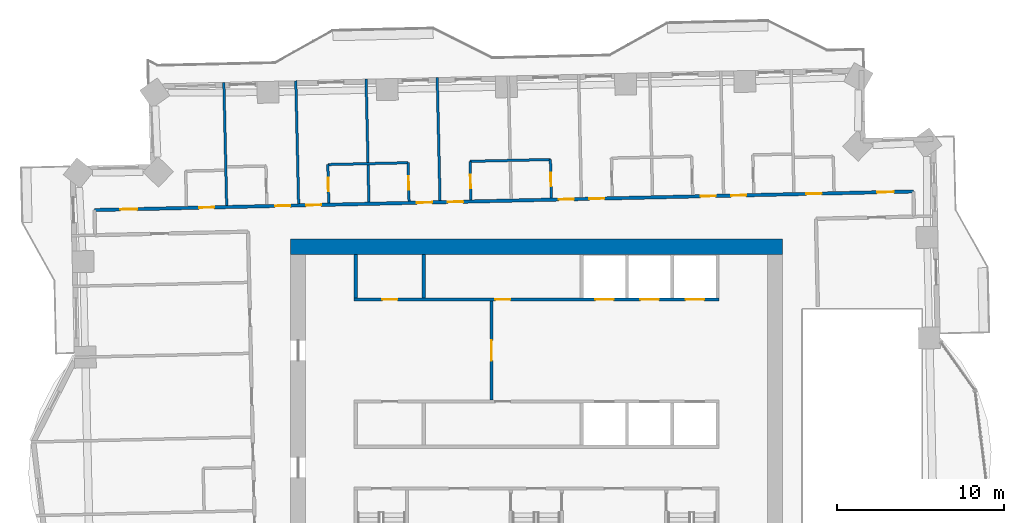
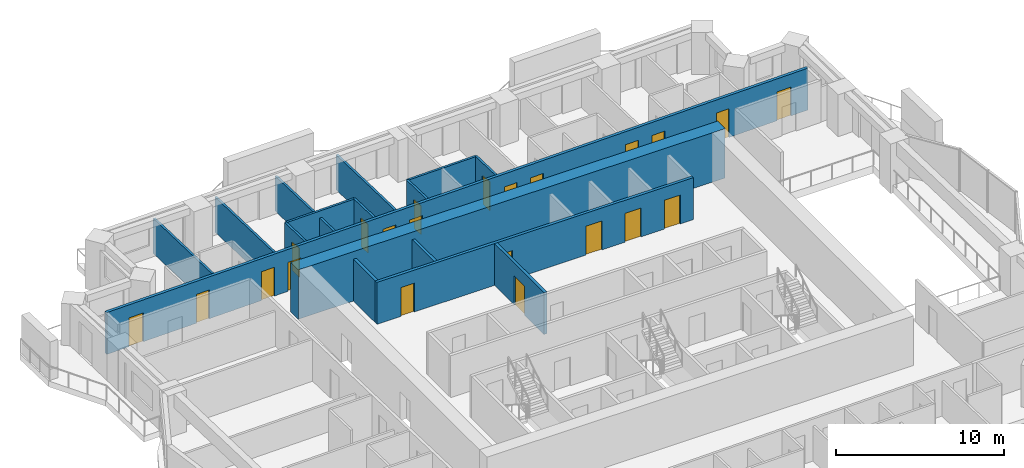
# One storey, part 10 of 16: 22 doors, 16 walls, 22 openings.
"""IFC4 building model written with IfcOpenShell, lengths in metres."""

from ifc_helpers import new_model, si_unit, direction, frame, frame_2d, origin, place, context, subcontext, project, spatial, rectangle, extrude, material, layer, layer_set, type_object, element, fill, save


model = new_model("IFC4")

# Units and contexts
model_context = context("Model", 3, precision=1e-05, world=origin(), true_north=direction((0.0, 1.0)))
body_context = subcontext(model_context, "Body", "Model", "MODEL_VIEW")
ifc_project = project(units=[si_unit("LENGTHUNIT", "METRE"), si_unit("AREAUNIT", "SQUARE_METRE"), si_unit("VOLUMEUNIT", "CUBIC_METRE"), si_unit("PLANEANGLEUNIT", "RADIAN"), si_unit("MASSUNIT", "GRAM", prefix="KILO")], contexts=[model_context])

# Site, building, storey
site_placement = place(None, origin())
site = spatial("IfcSite", under=ifc_project, at=site_placement, CompositionType="ELEMENT")
building_placement = place(site_placement, origin())
building = spatial("IfcBuilding", under=site, at=building_placement, Name="Mangrove Gate Tower", CompositionType="ELEMENT")
storey_placement = place(building_placement, frame((0.0, 0.0, 144.5)))
storey = spatial("IfcBuildingStorey", under=building, at=storey_placement, Name="L36", CompositionType="ELEMENT", Elevation=144.5)

# Wall, opening, door
ifc_material_1 = material(Name="Concrete C32/40", Category="concrete")
ifc_layer_1 = layer(ifc_material_1, 0.199951171875)
ifc_layer_set_1 = layer_set([ifc_layer_1], Name="Core lobby wall 200 C32/40")
wall_type_1 = type_object("IfcWallType", Name="Core lobby wall 200 C32/40", PredefinedType="STANDARD", material=ifc_layer_set_1)
wall_1_placement = place(storey_placement, frame((-2.699951171875, 2.10009765625, 0.0), z_axis=(0.0, 0.0, 1.0), x_axis=(0.0, 1.0, 0.0)))
wall_1 = element("IfcWall", 1, at=wall_1_placement, inside=storey, type_object=wall_type_1, Name="WALL-L36-CORE-31", PredefinedType="STANDARD", context=body_context, shape_type="SweptSolid", body=[
    extrude(rectangle(XDim=5.89990234375, YDim=0.199951171875, at=frame_2d((2.949951171875, 0.0))), origin(), (0.0, 0.0, 1.0), 3.050048828125),
])
opening_1_placement = place(wall_1_placement, frame((2.35009765625, 0.0, 0.0)))
opening_1 = element("IfcOpeningElement", 2, at=opening_1_placement, cuts=wall_1, Name="Opening FL12", PredefinedType="OPENING", context=body_context, shape_type="SweptSolid", body=[
    extrude(rectangle(XDim=1.199951171875, YDim=2.10009765625, at=frame_2d((0.60009765625, 1.050048828125))), frame((0.0, 0.10986328125, 0.0), z_axis=(0.0, -1.0, 0.0), x_axis=(1.0, 0.0, 0.0)), (0.0, 0.0, 1.0), 0.219970703125),
])
ifc_material_2 = material(Name="Fire-rated steel door set", Category="steel")
door_type_1 = type_object("IfcDoorType", Name="Lobby door FD60 1200x2100", OperationType="SINGLE_SWING_LEFT", PredefinedType="DOOR", material=ifc_material_2)
door_1_placement = place(opening_1_placement, origin())
door_1 = element("IfcDoor", 3, at=door_1_placement, inside=storey, type_object=door_type_1, Name="Lobby door lift lobby partition", OperationType="SINGLE_SWING_LEFT", OverallHeight=2.10009765625, OverallWidth=1.199951171875, PredefinedType="DOOR", context=body_context, shape_type="SweptSolid", body=[
    extrude(rectangle(XDim=1.199951171875, YDim=2.10009765625, at=frame_2d((0.60009765625, 1.050048828125))), frame((0.0, 0.02490234375, 0.0), z_axis=(0.0, -1.0, 0.0), x_axis=(1.0, 0.0, 0.0)), (0.0, 0.0, 1.0), 0.050048828125),
])
fill(opening_1, door_1)

# Walls
ifc_material_3 = material(Name="Concrete C32/40", Category="concrete")
ifc_layer_2 = layer(ifc_material_3, 0.199951171875)
ifc_layer_set_2 = layer_set([ifc_layer_2], Name="Core room wall 200 C32/40")
wall_type_2 = type_object("IfcWallType", Name="Core room wall 200 C32/40", PredefinedType="STANDARD", material=ifc_layer_set_2)
for number, where, z_axis, x_axis, name in (
    (4, (-10.800048828125, 8.199951171875, 0.0), (0.0, 0.0, 1.0), (0.0, 1.0, 0.0), "WALL-L36-CORE-25"),
    (5, (-6.75, 8.199951171875, 0.0), (0.0, 0.0, 1.0), (0.0, 1.0, 0.0), "WALL-L36-CORE-26"),
):
    element("IfcWall", number, at=place(storey_placement, frame(where, z_axis=z_axis, x_axis=x_axis)), inside=storey, type_object=wall_type_2, Name=name, PredefinedType="STANDARD", context=body_context, shape_type="SweptSolid", body=[
        extrude(rectangle(XDim=2.60009765625, YDim=0.199951171875, at=frame_2d((1.300048828125, 0.0))), origin(), (0.0, 0.0, 1.0), 3.050048828125),
    ])

# Wall, openings, doors
ifc_material_4 = material(Name="Concrete C70/85", Category="concrete")
ifc_layer_3 = layer(ifc_material_4, 0.199951171875)
ifc_layer_set_3 = layer_set([ifc_layer_3], Name="Core shaft wall 200 C70/85")
wall_type_3 = type_object("IfcWallType", Name="Core shaft wall 200 C70/85", PredefinedType="SHEAR", material=ifc_layer_set_3)
wall_2_placement = place(storey_placement, frame((-10.89990234375, 8.10009765625, 0.0), z_axis=(0.0, 0.0, 1.0), x_axis=(1.0, 0.0, 0.0)))
wall_2 = element("IfcWall", 6, at=wall_2_placement, inside=storey, type_object=wall_type_3, Name="WALL-L36-CORE-8", PredefinedType="SHEAR", context=body_context, shape_type="SweptSolid", body=[
    extrude(rectangle(XDim=21.7998046875, YDim=0.199951171875, at=frame_2d((10.89990234375, 0.0))), origin(), (0.0, 0.0, 1.0), 3.050048828125),
])
opening_2_placement = place(wall_2_placement, frame((14.39990234375, 0.0, 0.0)))
opening_2 = element("IfcOpeningElement", 7, at=opening_2_placement, cuts=wall_2, Name="Opening LD", PredefinedType="OPENING", context=body_context, shape_type="SweptSolid", body=[
    extrude(rectangle(XDim=1.10009765625, YDim=2.10009765625, at=frame_2d((0.550048828125, 1.050048828125))), frame((0.0, 0.10986328125, 0.0), z_axis=(0.0, -1.0, 0.0), x_axis=(1.0, 0.0, 0.0)), (0.0, 0.0, 1.0), 0.219970703125),
])
opening_3_placement = place(wall_2_placement, frame((17.10009765625, 0.0, 0.0)))
opening_3 = element("IfcOpeningElement", 8, at=opening_3_placement, cuts=wall_2, Name="Opening LD", PredefinedType="OPENING", context=body_context, shape_type="SweptSolid", body=[
    extrude(rectangle(XDim=1.10009765625, YDim=2.10009765625, at=frame_2d((0.550048828125, 1.050048828125))), frame((0.0, 0.10986328125, 0.0), z_axis=(0.0, -1.0, 0.0), x_axis=(1.0, 0.0, 0.0)), (0.0, 0.0, 1.0), 0.219970703125),
])
opening_4_placement = place(wall_2_placement, frame((19.800048828125, 0.0, 0.0)))
opening_4 = element("IfcOpeningElement", 9, at=opening_4_placement, cuts=wall_2, Name="Opening LD", PredefinedType="OPENING", context=body_context, shape_type="SweptSolid", body=[
    extrude(rectangle(XDim=1.10009765625, YDim=2.10009765625, at=frame_2d((0.550048828125, 1.050048828125))), frame((0.0, 0.10986328125, 0.0), z_axis=(0.0, -1.0, 0.0), x_axis=(1.0, 0.0, 0.0)), (0.0, 0.0, 1.0), 0.219970703125),
])
opening_5_placement = place(wall_2_placement, frame((1.675048828125, 0.0, 0.0)))
opening_5 = element("IfcOpeningElement", 10, at=opening_5_placement, cuts=wall_2, Name="Opening KD", PredefinedType="OPENING", context=body_context, shape_type="SweptSolid", body=[
    extrude(rectangle(XDim=0.89990234375, YDim=2.10009765625, at=frame_2d((0.449951171875, 1.050048828125))), frame((0.0, 0.10986328125, 0.0), z_axis=(0.0, -1.0, 0.0), x_axis=(1.0, 0.0, 0.0)), (0.0, 0.0, 1.0), 0.219970703125),
])
opening_6_placement = place(wall_2_placement, frame((8.425048828125, 0.0, 0.0)))
opening_6 = element("IfcOpeningElement", 11, at=opening_6_placement, cuts=wall_2, Name="Opening RD", PredefinedType="OPENING", context=body_context, shape_type="SweptSolid", body=[
    extrude(rectangle(XDim=0.89990234375, YDim=2.10009765625, at=frame_2d((0.449951171875, 1.050048828125))), frame((0.0, 0.10986328125, 0.0), z_axis=(0.0, -1.0, 0.0), x_axis=(1.0, 0.0, 0.0)), (0.0, 0.0, 1.0), 0.219970703125),
])
ifc_material_5 = material(Name="Fire-rated steel door set", Category="steel")
door_type_2 = type_object("IfcDoorType", Name="Core room door FD30S 900x2100", OperationType="SINGLE_SWING_RIGHT", PredefinedType="DOOR", material=ifc_material_5)
door_2_placement = place(opening_5_placement, origin())
door_2 = element("IfcDoor", 12, at=door_2_placement, inside=storey, type_object=door_type_2, Name="Core room door Linen store", OperationType="SINGLE_SWING_RIGHT", OverallHeight=2.10009765625, OverallWidth=0.89990234375, PredefinedType="DOOR", context=body_context, shape_type="SweptSolid", body=[
    extrude(rectangle(XDim=0.89990234375, YDim=2.10009765625, at=frame_2d((0.449951171875, 1.050048828125))), frame((0.0, 0.02490234375, 0.0), z_axis=(0.0, -1.0, 0.0), x_axis=(1.0, 0.0, 0.0)), (0.0, 0.0, 1.0), 0.050048828125),
])
fill(opening_5, door_2)
ifc_material_6 = material(Name="Stainless steel 316", Category="steel")
door_type_3 = type_object("IfcDoorType", Name="Lift landing door 1100x2100", OperationType="SLIDING_TO_LEFT", PredefinedType="DOOR", material=ifc_material_6)
door_3_placement = place(opening_2_placement, origin())
door_3 = element("IfcDoor", 13, at=door_3_placement, inside=storey, type_object=door_type_3, Name="Landing door LD M04", OperationType="SLIDING_TO_LEFT", OverallHeight=2.10009765625, OverallWidth=1.10009765625, PredefinedType="DOOR", context=body_context, shape_type="SweptSolid", body=[
    extrude(rectangle(XDim=1.10009765625, YDim=2.10009765625, at=frame_2d((0.550048828125, 1.050048828125))), frame((0.0, 0.02490234375, 0.0), z_axis=(0.0, -1.0, 0.0), x_axis=(1.0, 0.0, 0.0)), (0.0, 0.0, 1.0), 0.050048828125),
])
fill(opening_2, door_3)
door_4_placement = place(opening_3_placement, origin())
door_4 = element("IfcDoor", 14, at=door_4_placement, inside=storey, type_object=door_type_3, Name="Landing door LD M05", OperationType="SLIDING_TO_LEFT", OverallHeight=2.10009765625, OverallWidth=1.10009765625, PredefinedType="DOOR", context=body_context, shape_type="SweptSolid", body=[
    extrude(rectangle(XDim=1.10009765625, YDim=2.10009765625, at=frame_2d((0.550048828125, 1.050048828125))), frame((0.0, 0.02490234375, 0.0), z_axis=(0.0, -1.0, 0.0), x_axis=(1.0, 0.0, 0.0)), (0.0, 0.0, 1.0), 0.050048828125),
])
fill(opening_3, door_4)
door_5_placement = place(opening_4_placement, origin())
door_5 = element("IfcDoor", 15, at=door_5_placement, inside=storey, type_object=door_type_3, Name="Landing door LD M06", OperationType="SLIDING_TO_LEFT", OverallHeight=2.10009765625, OverallWidth=1.10009765625, PredefinedType="DOOR", context=body_context, shape_type="SweptSolid", body=[
    extrude(rectangle(XDim=1.10009765625, YDim=2.10009765625, at=frame_2d((0.550048828125, 1.050048828125))), frame((0.0, 0.02490234375, 0.0), z_axis=(0.0, -1.0, 0.0), x_axis=(1.0, 0.0, 0.0)), (0.0, 0.0, 1.0), 0.050048828125),
])
fill(opening_4, door_5)
ifc_material_7 = material(Name="Fire-rated steel door set", Category="steel")
door_type_4 = type_object("IfcDoorType", Name="Riser door FD30S 900x2100", OperationType="SINGLE_SWING_LEFT", PredefinedType="DOOR", material=ifc_material_7)
door_6_placement = place(opening_6_placement, origin())
door_6 = element("IfcDoor", 16, at=door_6_placement, inside=storey, type_object=door_type_4, Name="Riser door Switch room", OperationType="SINGLE_SWING_LEFT", OverallHeight=2.10009765625, OverallWidth=0.89990234375, PredefinedType="DOOR", context=body_context, shape_type="SweptSolid", body=[
    extrude(rectangle(XDim=0.89990234375, YDim=2.10009765625, at=frame_2d((0.449951171875, 1.050048828125))), frame((0.0, 0.02490234375, 0.0), z_axis=(0.0, -1.0, 0.0), x_axis=(1.0, 0.0, 0.0)), (0.0, 0.0, 1.0), 0.050048828125),
])
fill(opening_6, door_6)

# Wall
ifc_material_8 = material(Name="Concrete C70/85", Category="concrete")
ifc_layer_4 = layer(ifc_material_8, 0.89990234375)
ifc_layer_set_4 = layer_set([ifc_layer_4], Name="Core wall 900 C70/85")
wall_type_4 = type_object("IfcWallType", Name="Core wall 900 C70/85", PredefinedType="SHEAR", material=ifc_layer_set_4)
wall_3_placement = place(storey_placement, frame((-14.699951171875, 11.25, 0.0), z_axis=(0.0, 0.0, 1.0), x_axis=(1.0, 0.0, 0.0)))
element("IfcWall", 17, at=wall_3_placement, inside=storey, type_object=wall_type_4, Name="WALL-L36-CORE-2", PredefinedType="SHEAR", context=body_context, shape_type="SweptSolid", body=[
    extrude(rectangle(XDim=29.39990234375, YDim=0.89990234375, at=frame_2d((14.699951171875, 0.0))), origin(), (0.0, 0.0, 1.0), 3.60009765625),
])

# Wall, openings, doors
ifc_material_9 = material(Name="Gypsum board on steel stud, EI 60", Category="steel")
ifc_layer_5 = layer(ifc_material_9, 0.199951171875)
ifc_layer_set_5 = layer_set([ifc_layer_5], Name="Corridor wall EI 60")
wall_type_5 = type_object("IfcWallType", Name="Corridor wall EI 60", PredefinedType="PARTITIONING", material=ifc_layer_set_5)
wall_4_placement = place(storey_placement, frame((-26.4208984375, 13.44091796875, 0.0), z_axis=(0.0, 0.0, 1.0), x_axis=(0.999742754064, 0.022680954485, 0.0)))
wall_4 = element("IfcWall", 18, at=wall_4_placement, inside=storey, type_object=wall_type_5, Name="WALL-L36-055", PredefinedType="PARTITIONING", context=body_context, shape_type="SweptSolid", body=[
    extrude(rectangle(XDim=48.944580078125, YDim=0.199951171875, at=frame_2d((24.47216796875, 0.0))), origin(), (0.0, 0.0, 1.0), 3.050048828125),
])
opening_7_placement = place(wall_4_placement, frame((46.77197265625, 0.0, 0.0)))
opening_7 = element("IfcOpeningElement", 19, at=opening_7_placement, cuts=wall_4, Name="Opening AD", PredefinedType="OPENING", context=body_context, shape_type="SweptSolid", body=[
    extrude(rectangle(XDim=1.0, YDim=2.10009765625, at=frame_2d((0.5, 1.050048828125))), frame((0.0, 0.10986328125, 0.0), z_axis=(0.0, -1.0, 0.0), x_axis=(1.0, 0.0, 0.0)), (0.0, 0.0, 1.0), 0.219970703125),
])
opening_8_placement = place(wall_4_placement, frame((42.550048828125, 0.0, 0.0)))
opening_8 = element("IfcOpeningElement", 20, at=opening_8_placement, cuts=wall_4, Name="Opening SD", PredefinedType="OPENING", context=body_context, shape_type="SweptSolid", body=[
    extrude(rectangle(XDim=0.89990234375, YDim=2.10009765625, at=frame_2d((0.449951171875, 1.050048828125))), frame((0.0, 0.10986328125, 0.0), z_axis=(0.0, -1.0, 0.0), x_axis=(1.0, 0.0, 0.0)), (0.0, 0.0, 1.0), 0.219970703125),
])
opening_9_placement = place(wall_4_placement, frame((38.050048828125, 0.0, 0.0)))
opening_9 = element("IfcOpeningElement", 21, at=opening_9_placement, cuts=wall_4, Name="Opening BD", PredefinedType="OPENING", context=body_context, shape_type="SweptSolid", body=[
    extrude(rectangle(XDim=0.89990234375, YDim=2.10009765625, at=frame_2d((0.449951171875, 1.050048828125))), frame((0.0, 0.10986328125, 0.0), z_axis=(0.0, -1.0, 0.0), x_axis=(1.0, 0.0, 0.0)), (0.0, 0.0, 1.0), 0.219970703125),
])
opening_10_placement = place(wall_4_placement, frame((36.22509765625, 0.0, 0.0)))
opening_10 = element("IfcOpeningElement", 22, at=opening_10_placement, cuts=wall_4, Name="Opening BD", PredefinedType="OPENING", context=body_context, shape_type="SweptSolid", body=[
    extrude(rectangle(XDim=0.89990234375, YDim=2.10009765625, at=frame_2d((0.449951171875, 1.050048828125))), frame((0.0, 0.10986328125, 0.0), z_axis=(0.0, -1.0, 0.0), x_axis=(1.0, 0.0, 0.0)), (0.0, 0.0, 1.0), 0.219970703125),
])
opening_11_placement = place(wall_4_placement, frame((29.574951171875, 0.0, 0.0)))
opening_11 = element("IfcOpeningElement", 23, at=opening_11_placement, cuts=wall_4, Name="Opening BD", PredefinedType="OPENING", context=body_context, shape_type="SweptSolid", body=[
    extrude(rectangle(XDim=0.89990234375, YDim=2.10009765625, at=frame_2d((0.449951171875, 1.050048828125))), frame((0.0, 0.10986328125, 0.0), z_axis=(0.0, -1.0, 0.0), x_axis=(1.0, 0.0, 0.0)), (0.0, 0.0, 1.0), 0.219970703125),
])
opening_12_placement = place(wall_4_placement, frame((27.75, 0.0, 0.0)))
opening_12 = element("IfcOpeningElement", 24, at=opening_12_placement, cuts=wall_4, Name="Opening BD", PredefinedType="OPENING", context=body_context, shape_type="SweptSolid", body=[
    extrude(rectangle(XDim=0.89990234375, YDim=2.10009765625, at=frame_2d((0.449951171875, 1.050048828125))), frame((0.0, 0.10986328125, 0.0), z_axis=(0.0, -1.0, 0.0), x_axis=(1.0, 0.0, 0.0)), (0.0, 0.0, 1.0), 0.219970703125),
])
opening_13_placement = place(wall_4_placement, frame((21.125, 0.0, 0.0)))
opening_13 = element("IfcOpeningElement", 25, at=opening_13_placement, cuts=wall_4, Name="Opening BD", PredefinedType="OPENING", context=body_context, shape_type="SweptSolid", body=[
    extrude(rectangle(XDim=0.89990234375, YDim=2.10009765625, at=frame_2d((0.449951171875, 1.050048828125))), frame((0.0, 0.10986328125, 0.0), z_axis=(0.0, -1.0, 0.0), x_axis=(1.0, 0.0, 0.0)), (0.0, 0.0, 1.0), 0.219970703125),
])
opening_14_placement = place(wall_4_placement, frame((19.27490234375, 0.0, 0.0)))
opening_14 = element("IfcOpeningElement", 26, at=opening_14_placement, cuts=wall_4, Name="Opening BD", PredefinedType="OPENING", context=body_context, shape_type="SweptSolid", body=[
    extrude(rectangle(XDim=0.89990234375, YDim=2.10009765625, at=frame_2d((0.449951171875, 1.050048828125))), frame((0.0, 0.10986328125, 0.0), z_axis=(0.0, -1.0, 0.0), x_axis=(1.0, 0.0, 0.0)), (0.0, 0.0, 1.0), 0.219970703125),
])
opening_15_placement = place(wall_4_placement, frame((12.64990234375, 0.0, 0.0)))
opening_15 = element("IfcOpeningElement", 27, at=opening_15_placement, cuts=wall_4, Name="Opening BD", PredefinedType="OPENING", context=body_context, shape_type="SweptSolid", body=[
    extrude(rectangle(XDim=0.89990234375, YDim=2.10009765625, at=frame_2d((0.449951171875, 1.050048828125))), frame((0.0, 0.10986328125, 0.0), z_axis=(0.0, -1.0, 0.0), x_axis=(1.0, 0.0, 0.0)), (0.0, 0.0, 1.0), 0.219970703125),
])
opening_16_placement = place(wall_4_placement, frame((10.800048828125, 0.0, 0.0)))
opening_16 = element("IfcOpeningElement", 28, at=opening_16_placement, cuts=wall_4, Name="Opening BD", PredefinedType="OPENING", context=body_context, shape_type="SweptSolid", body=[
    extrude(rectangle(XDim=0.89990234375, YDim=2.10009765625, at=frame_2d((0.449951171875, 1.050048828125))), frame((0.0, 0.10986328125, 0.0), z_axis=(0.0, -1.0, 0.0), x_axis=(1.0, 0.0, 0.0)), (0.0, 0.0, 1.0), 0.219970703125),
])
opening_17_placement = place(wall_4_placement, frame((1.550048828125, 0.0, 0.0)))
opening_17 = element("IfcOpeningElement", 29, at=opening_17_placement, cuts=wall_4, Name="Opening AD", PredefinedType="OPENING", context=body_context, shape_type="SweptSolid", body=[
    extrude(rectangle(XDim=1.0, YDim=2.10009765625, at=frame_2d((0.5, 1.050048828125))), frame((0.0, 0.10986328125, 0.0), z_axis=(0.0, -1.0, 0.0), x_axis=(1.0, 0.0, 0.0)), (0.0, 0.0, 1.0), 0.219970703125),
])
opening_18_placement = place(wall_4_placement, frame((6.25, 0.0, 0.0)))
opening_18 = element("IfcOpeningElement", 30, at=opening_18_placement, cuts=wall_4, Name="Opening SD", PredefinedType="OPENING", context=body_context, shape_type="SweptSolid", body=[
    extrude(rectangle(XDim=0.89990234375, YDim=2.10009765625, at=frame_2d((0.449951171875, 1.050048828125))), frame((0.0, 0.10986328125, 0.0), z_axis=(0.0, -1.0, 0.0), x_axis=(1.0, 0.0, 0.0)), (0.0, 0.0, 1.0), 0.219970703125),
])
ifc_material_10 = material(Name="Timber door leaf", Category="wood")
door_type_5 = type_object("IfcDoorType", Name="Amenity door 1000", OperationType="SINGLE_SWING_LEFT", PredefinedType="DOOR", material=ifc_material_10)
door_7_placement = place(opening_7_placement, origin())
door_7 = element("IfcDoor", 31, at=door_7_placement, inside=storey, type_object=door_type_5, Name="DOOR-L36-GAM-c3c", OperationType="SINGLE_SWING_RIGHT", OverallHeight=2.10009765625, OverallWidth=1.0, PredefinedType="DOOR", context=body_context, shape_type="SweptSolid", body=[
    extrude(rectangle(XDim=1.0, YDim=2.10009765625, at=frame_2d((0.5, 1.050048828125))), frame((0.0, 0.02490234375, 0.0), z_axis=(0.0, -1.0, 0.0), x_axis=(1.0, 0.0, 0.0)), (0.0, 0.0, 1.0), 0.050048828125),
])
fill(opening_7, door_7)
door_8_placement = place(opening_17_placement, origin())
door_8 = element("IfcDoor", 32, at=door_8_placement, inside=storey, type_object=door_type_5, Name="DOOR-L36-LNG-c5a", OperationType="SINGLE_SWING_LEFT", OverallHeight=2.10009765625, OverallWidth=1.0, PredefinedType="DOOR", context=body_context, shape_type="SweptSolid", body=[
    extrude(rectangle(XDim=1.0, YDim=2.10009765625, at=frame_2d((0.5, 1.050048828125))), frame((0.0, 0.02490234375, 0.0), z_axis=(0.0, -1.0, 0.0), x_axis=(1.0, 0.0, 0.0)), (0.0, 0.0, 1.0), 0.050048828125),
])
fill(opening_17, door_8)
ifc_material_11 = material(Name="Timber door leaf", Category="wood")
door_type_6 = type_object("IfcDoorType", Name="Bedroom door 900", OperationType="SINGLE_SWING_LEFT", PredefinedType="DOOR", material=ifc_material_11)
door_9_placement = place(opening_9_placement, origin())
door_9 = element("IfcDoor", 33, at=door_9_placement, inside=storey, type_object=door_type_6, Name="DOOR-L36-BED-c308", OperationType="SINGLE_SWING_RIGHT", OverallHeight=2.10009765625, OverallWidth=0.89990234375, PredefinedType="DOOR", context=body_context, shape_type="SweptSolid", body=[
    extrude(rectangle(XDim=0.89990234375, YDim=2.10009765625, at=frame_2d((0.449951171875, 1.050048828125))), frame((0.0, 0.02490234375, 0.0), z_axis=(0.0, -1.0, 0.0), x_axis=(1.0, 0.0, 0.0)), (0.0, 0.0, 1.0), 0.050048828125),
])
fill(opening_9, door_9)
door_10_placement = place(opening_10_placement, origin())
door_10 = element("IfcDoor", 34, at=door_10_placement, inside=storey, type_object=door_type_6, Name="DOOR-L36-BED-c309", OperationType="SINGLE_SWING_LEFT", OverallHeight=2.10009765625, OverallWidth=0.89990234375, PredefinedType="DOOR", context=body_context, shape_type="SweptSolid", body=[
    extrude(rectangle(XDim=0.89990234375, YDim=2.10009765625, at=frame_2d((0.449951171875, 1.050048828125))), frame((0.0, 0.02490234375, 0.0), z_axis=(0.0, -1.0, 0.0), x_axis=(1.0, 0.0, 0.0)), (0.0, 0.0, 1.0), 0.050048828125),
])
fill(opening_10, door_10)
door_11_placement = place(opening_11_placement, origin())
door_11 = element("IfcDoor", 35, at=door_11_placement, inside=storey, type_object=door_type_6, Name="DOOR-L36-BED-c410", OperationType="SINGLE_SWING_RIGHT", OverallHeight=2.10009765625, OverallWidth=0.89990234375, PredefinedType="DOOR", context=body_context, shape_type="SweptSolid", body=[
    extrude(rectangle(XDim=0.89990234375, YDim=2.10009765625, at=frame_2d((0.449951171875, 1.050048828125))), frame((0.0, 0.02490234375, 0.0), z_axis=(0.0, -1.0, 0.0), x_axis=(1.0, 0.0, 0.0)), (0.0, 0.0, 1.0), 0.050048828125),
])
fill(opening_11, door_11)
door_12_placement = place(opening_12_placement, origin())
door_12 = element("IfcDoor", 36, at=door_12_placement, inside=storey, type_object=door_type_6, Name="DOOR-L36-BED-c411", OperationType="SINGLE_SWING_LEFT", OverallHeight=2.10009765625, OverallWidth=0.89990234375, PredefinedType="DOOR", context=body_context, shape_type="SweptSolid", body=[
    extrude(rectangle(XDim=0.89990234375, YDim=2.10009765625, at=frame_2d((0.449951171875, 1.050048828125))), frame((0.0, 0.02490234375, 0.0), z_axis=(0.0, -1.0, 0.0), x_axis=(1.0, 0.0, 0.0)), (0.0, 0.0, 1.0), 0.050048828125),
])
fill(opening_12, door_12)
door_13_placement = place(opening_13_placement, origin())
door_13 = element("IfcDoor", 37, at=door_13_placement, inside=storey, type_object=door_type_6, Name="DOOR-L36-BED-c412", OperationType="SINGLE_SWING_RIGHT", OverallHeight=2.10009765625, OverallWidth=0.89990234375, PredefinedType="DOOR", context=body_context, shape_type="SweptSolid", body=[
    extrude(rectangle(XDim=0.89990234375, YDim=2.10009765625, at=frame_2d((0.449951171875, 1.050048828125))), frame((0.0, 0.02490234375, 0.0), z_axis=(0.0, -1.0, 0.0), x_axis=(1.0, 0.0, 0.0)), (0.0, 0.0, 1.0), 0.050048828125),
])
fill(opening_13, door_13)
door_14_placement = place(opening_14_placement, origin())
door_14 = element("IfcDoor", 38, at=door_14_placement, inside=storey, type_object=door_type_6, Name="DOOR-L36-BED-c513", OperationType="SINGLE_SWING_LEFT", OverallHeight=2.10009765625, OverallWidth=0.89990234375, PredefinedType="DOOR", context=body_context, shape_type="SweptSolid", body=[
    extrude(rectangle(XDim=0.89990234375, YDim=2.10009765625, at=frame_2d((0.449951171875, 1.050048828125))), frame((0.0, 0.02490234375, 0.0), z_axis=(0.0, -1.0, 0.0), x_axis=(1.0, 0.0, 0.0)), (0.0, 0.0, 1.0), 0.050048828125),
])
fill(opening_14, door_14)
door_15_placement = place(opening_15_placement, origin())
door_15 = element("IfcDoor", 39, at=door_15_placement, inside=storey, type_object=door_type_6, Name="DOOR-L36-BED-c514", OperationType="SINGLE_SWING_RIGHT", OverallHeight=2.10009765625, OverallWidth=0.89990234375, PredefinedType="DOOR", context=body_context, shape_type="SweptSolid", body=[
    extrude(rectangle(XDim=0.89990234375, YDim=2.10009765625, at=frame_2d((0.449951171875, 1.050048828125))), frame((0.0, 0.02490234375, 0.0), z_axis=(0.0, -1.0, 0.0), x_axis=(1.0, 0.0, 0.0)), (0.0, 0.0, 1.0), 0.050048828125),
])
fill(opening_15, door_15)
door_16_placement = place(opening_16_placement, origin())
door_16 = element("IfcDoor", 40, at=door_16_placement, inside=storey, type_object=door_type_6, Name="DOOR-L36-BED-c515", OperationType="SINGLE_SWING_LEFT", OverallHeight=2.10009765625, OverallWidth=0.89990234375, PredefinedType="DOOR", context=body_context, shape_type="SweptSolid", body=[
    extrude(rectangle(XDim=0.89990234375, YDim=2.10009765625, at=frame_2d((0.449951171875, 1.050048828125))), frame((0.0, 0.02490234375, 0.0), z_axis=(0.0, -1.0, 0.0), x_axis=(1.0, 0.0, 0.0)), (0.0, 0.0, 1.0), 0.050048828125),
])
fill(opening_16, door_16)
ifc_material_12 = material(Name="Timber door leaf", Category="wood")
door_type_7 = type_object("IfcDoorType", Name="Service room door 900", OperationType="SINGLE_SWING_LEFT", PredefinedType="DOOR", material=ifc_material_12)
door_17_placement = place(opening_8_placement, origin())
door_17 = element("IfcDoor", 41, at=door_17_placement, inside=storey, type_object=door_type_7, Name="DOOR-L36-LIN-c3a", OperationType="SINGLE_SWING_LEFT", OverallHeight=2.10009765625, OverallWidth=0.89990234375, PredefinedType="DOOR", context=body_context, shape_type="SweptSolid", body=[
    extrude(rectangle(XDim=0.89990234375, YDim=2.10009765625, at=frame_2d((0.449951171875, 1.050048828125))), frame((0.0, 0.02490234375, 0.0), z_axis=(0.0, -1.0, 0.0), x_axis=(1.0, 0.0, 0.0)), (0.0, 0.0, 1.0), 0.050048828125),
])
fill(opening_8, door_17)
door_18_placement = place(opening_18_placement, origin())
door_18 = element("IfcDoor", 42, at=door_18_placement, inside=storey, type_object=door_type_7, Name="DOOR-L36-LIN-c5a", OperationType="SINGLE_SWING_RIGHT", OverallHeight=2.10009765625, OverallWidth=0.89990234375, PredefinedType="DOOR", context=body_context, shape_type="SweptSolid", body=[
    extrude(rectangle(XDim=0.89990234375, YDim=2.10009765625, at=frame_2d((0.449951171875, 1.050048828125))), frame((0.0, 0.02490234375, 0.0), z_axis=(0.0, -1.0, 0.0), x_axis=(1.0, 0.0, 0.0)), (0.0, 0.0, 1.0), 0.050048828125),
])
fill(opening_18, door_18)

# Walls
ifc_material_13 = material(Name="Gypsum board on steel stud, EI 60", Category="steel")
ifc_layer_6 = layer(ifc_material_13, 0.14990234375)
ifc_layer_set_6 = layer_set([ifc_layer_6], Name="Party wall 150 EI 60")
wall_type_6 = type_object("IfcWallType", Name="Party wall 150 EI 60", PredefinedType="PARTITIONING", material=ifc_layer_set_6)
wall_5_placement = place(storey_placement, frame((-18.52294921875, 13.719970703125, 0.0), z_axis=(0.0, 0.0, 1.0), x_axis=(-0.022719896304, 0.99974186984, 0.0)))
element("IfcWall", 43, at=wall_5_placement, inside=storey, type_object=wall_type_6, Name="WALL-L36-057", PredefinedType="PARTITIONING", context=body_context, shape_type="SweptSolid", body=[
    extrude(rectangle(XDim=7.35009765625, YDim=0.14990234375, at=frame_2d((3.675048828125, 0.0))), origin(), (0.0, 0.0, 1.0), 2.550048828125),
])
wall_6_placement = place(storey_placement, frame((-14.22412109375, 13.818115234375, 0.0), z_axis=(0.0, 0.0, 1.0), x_axis=(-0.022720650804, 0.999741852694, 0.0)))
element("IfcWall", 44, at=wall_6_placement, inside=storey, type_object=wall_type_6, Name="WALL-L36-059", PredefinedType="PARTITIONING", context=body_context, shape_type="SweptSolid", body=[
    extrude(rectangle(XDim=7.349853515625, YDim=0.14990234375, at=frame_2d((3.6748046875, 0.0))), origin(), (0.0, 0.0, 1.0), 2.550048828125),
])

# Wall, opening, door
wall_7_placement = place(storey_placement, frame((-12.425048828125, 13.85791015625, 0.0), z_axis=(0.0, 0.0, 1.0), x_axis=(-0.022603288534, 0.999744513037, 0.0)))
wall_7 = element("IfcWall", 45, at=wall_7_placement, inside=storey, type_object=wall_type_6, Name="WALL-L36-060", PredefinedType="PARTITIONING", context=body_context, shape_type="SweptSolid", body=[
    extrude(rectangle(XDim=2.300537109375, YDim=0.14990234375, at=frame_2d((1.150390625, 0.0))), origin(), (0.0, 0.0, 1.0), 3.050048828125),
])
opening_19_placement = place(wall_7_placement, frame((0.699951171875, 0.0, 0.0)))
opening_19 = element("IfcOpeningElement", 46, at=opening_19_placement, cuts=wall_7, Name="Opening ED", PredefinedType="OPENING", context=body_context, shape_type="SweptSolid", body=[
    extrude(rectangle(XDim=0.800048828125, YDim=2.10009765625, at=frame_2d((0.39990234375, 1.050048828125))), frame((0.0, 0.0849609375, 0.0), z_axis=(0.0, -1.0, 0.0), x_axis=(1.0, 0.0, 0.0)), (0.0, 0.0, 1.0), 0.169921875),
])
ifc_material_14 = material(Name="Timber door leaf", Category="wood")
door_type_8 = type_object("IfcDoorType", Name="En-suite door 800", OperationType="SINGLE_SWING_LEFT", PredefinedType="DOOR", material=ifc_material_14)
door_19_placement = place(opening_19_placement, origin())
door_19 = element("IfcDoor", 47, at=door_19_placement, inside=storey, type_object=door_type_8, Name="DOOR-L36-ENS-c514", OperationType="SINGLE_SWING_RIGHT", OverallHeight=2.10009765625, OverallWidth=0.800048828125, PredefinedType="DOOR", context=body_context, shape_type="SweptSolid", body=[
    extrude(rectangle(XDim=0.800048828125, YDim=2.10009765625, at=frame_2d((0.39990234375, 1.050048828125))), frame((0.0, 0.02490234375, 0.0), z_axis=(0.0, -1.0, 0.0), x_axis=(1.0, 0.0, 0.0)), (0.0, 0.0, 1.0), 0.050048828125),
])
fill(opening_19, door_19)

# Wall
wall_8_placement = place(storey_placement, frame((-10.02490234375, 13.9130859375, 0.0), z_axis=(0.0, 0.0, 1.0), x_axis=(-0.022720650804, 0.999741852694, 0.0)))
element("IfcWall", 48, at=wall_8_placement, inside=storey, type_object=wall_type_6, Name="WALL-L36-061", PredefinedType="PARTITIONING", context=body_context, shape_type="SweptSolid", body=[
    extrude(rectangle(XDim=7.349853515625, YDim=0.14990234375, at=frame_2d((3.6748046875, 0.0))), origin(), (0.0, 0.0, 1.0), 2.550048828125),
])

# Wall, opening, door
wall_9_placement = place(storey_placement, frame((-7.6259765625, 13.967041015625, 0.0), z_axis=(0.0, 0.0, 1.0), x_axis=(-0.022603288534, 0.999744513037, 0.0)))
wall_9 = element("IfcWall", 49, at=wall_9_placement, inside=storey, type_object=wall_type_6, Name="WALL-L36-062", PredefinedType="PARTITIONING", context=body_context, shape_type="SweptSolid", body=[
    extrude(rectangle(XDim=2.300537109375, YDim=0.14990234375, at=frame_2d((1.150390625, 0.0))), origin(), (0.0, 0.0, 1.0), 3.050048828125),
])
opening_20_placement = place(wall_9_placement, frame((0.699951171875, 0.0, 0.0)))
opening_20 = element("IfcOpeningElement", 50, at=opening_20_placement, cuts=wall_9, Name="Opening ED", PredefinedType="OPENING", context=body_context, shape_type="SweptSolid", body=[
    extrude(rectangle(XDim=0.800048828125, YDim=2.10009765625, at=frame_2d((0.39990234375, 1.050048828125))), frame((0.0, 0.0849609375, 0.0), z_axis=(0.0, -1.0, 0.0), x_axis=(1.0, 0.0, 0.0)), (0.0, 0.0, 1.0), 0.169921875),
])
door_20_placement = place(opening_20_placement, origin())
door_20 = element("IfcDoor", 51, at=door_20_placement, inside=storey, type_object=door_type_8, Name="DOOR-L36-ENS-c513", OperationType="SINGLE_SWING_LEFT", OverallHeight=2.10009765625, OverallWidth=0.800048828125, PredefinedType="DOOR", context=body_context, shape_type="SweptSolid", body=[
    extrude(rectangle(XDim=0.800048828125, YDim=2.10009765625, at=frame_2d((0.39990234375, 1.050048828125))), frame((0.0, 0.02490234375, 0.0), z_axis=(0.0, -1.0, 0.0), x_axis=(1.0, 0.0, 0.0)), (0.0, 0.0, 1.0), 0.050048828125),
])
fill(opening_20, door_20)

# Wall
wall_10_placement = place(storey_placement, frame((-5.77587890625, 14.009033203125, 0.0), z_axis=(0.0, 0.0, 1.0), x_axis=(-0.022753850944, 0.999741097618, 0.0)))
element("IfcWall", 52, at=wall_10_placement, inside=storey, type_object=wall_type_6, Name="WALL-L36-063", PredefinedType="PARTITIONING", context=body_context, shape_type="SweptSolid", body=[
    extrude(rectangle(XDim=7.349853515625, YDim=0.14990234375, at=frame_2d((3.6748046875, 0.0))), origin(), (0.0, 0.0, 1.0), 2.550048828125),
])

# Wall, opening, door
wall_11_placement = place(storey_placement, frame((-3.927001953125, 14.051025390625, 0.0), z_axis=(0.0, 0.0, 1.0), x_axis=(-0.022603288534, 0.999744513037, 0.0)))
wall_11 = element("IfcWall", 53, at=wall_11_placement, inside=storey, type_object=wall_type_6, Name="WALL-L36-064", PredefinedType="PARTITIONING", context=body_context, shape_type="SweptSolid", body=[
    extrude(rectangle(XDim=2.300537109375, YDim=0.14990234375, at=frame_2d((1.150390625, 0.0))), origin(), (0.0, 0.0, 1.0), 3.050048828125),
])
opening_21_placement = place(wall_11_placement, frame((0.699951171875, 0.0, 0.0)))
opening_21 = element("IfcOpeningElement", 54, at=opening_21_placement, cuts=wall_11, Name="Opening ED", PredefinedType="OPENING", context=body_context, shape_type="SweptSolid", body=[
    extrude(rectangle(XDim=0.800048828125, YDim=2.10009765625, at=frame_2d((0.39990234375, 1.050048828125))), frame((0.0, 0.0849609375, 0.0), z_axis=(0.0, -1.0, 0.0), x_axis=(1.0, 0.0, 0.0)), (0.0, 0.0, 1.0), 0.169921875),
])
door_21_placement = place(opening_21_placement, origin())
door_21 = element("IfcDoor", 55, at=door_21_placement, inside=storey, type_object=door_type_8, Name="DOOR-L36-ENS-c412", OperationType="SINGLE_SWING_RIGHT", OverallHeight=2.10009765625, OverallWidth=0.800048828125, PredefinedType="DOOR", context=body_context, shape_type="SweptSolid", body=[
    extrude(rectangle(XDim=0.800048828125, YDim=2.10009765625, at=frame_2d((0.39990234375, 1.050048828125))), frame((0.0, 0.02490234375, 0.0), z_axis=(0.0, -1.0, 0.0), x_axis=(1.0, 0.0, 0.0)), (0.0, 0.0, 1.0), 0.050048828125),
])
fill(opening_21, door_21)

wall_12_placement = place(storey_placement, frame((0.8720703125, 14.159912109375, 0.0), z_axis=(0.0, 0.0, 1.0), x_axis=(-0.022603288534, 0.999744513037, 0.0)))
wall_12 = element("IfcWall", 56, at=wall_12_placement, inside=storey, type_object=wall_type_6, Name="WALL-L36-066", PredefinedType="PARTITIONING", context=body_context, shape_type="SweptSolid", body=[
    extrude(rectangle(XDim=2.300537109375, YDim=0.14990234375, at=frame_2d((1.150390625, 0.0))), origin(), (0.0, 0.0, 1.0), 3.050048828125),
])
opening_22_placement = place(wall_12_placement, frame((0.699951171875, 0.0, 0.0)))
opening_22 = element("IfcOpeningElement", 57, at=opening_22_placement, cuts=wall_12, Name="Opening ED", PredefinedType="OPENING", context=body_context, shape_type="SweptSolid", body=[
    extrude(rectangle(XDim=0.800048828125, YDim=2.10009765625, at=frame_2d((0.39990234375, 1.050048828125))), frame((0.0, 0.0849609375, 0.0), z_axis=(0.0, -1.0, 0.0), x_axis=(1.0, 0.0, 0.0)), (0.0, 0.0, 1.0), 0.169921875),
])
door_22_placement = place(opening_22_placement, origin())
door_22 = element("IfcDoor", 58, at=door_22_placement, inside=storey, type_object=door_type_8, Name="DOOR-L36-ENS-c411", OperationType="SINGLE_SWING_LEFT", OverallHeight=2.10009765625, OverallWidth=0.800048828125, PredefinedType="DOOR", context=body_context, shape_type="SweptSolid", body=[
    extrude(rectangle(XDim=0.800048828125, YDim=2.10009765625, at=frame_2d((0.39990234375, 1.050048828125))), frame((0.0, 0.02490234375, 0.0), z_axis=(0.0, -1.0, 0.0), x_axis=(1.0, 0.0, 0.0)), (0.0, 0.0, 1.0), 0.050048828125),
])
fill(opening_22, door_22)

# Walls
for number, where, z_axis, x_axis, name in (
    (59, (-12.47900390625, 16.157958984375, 0.0), (0.0, 0.0, 1.0), (0.99974154664, 0.022734113616, 0.0), "WALL-L36-078"),
    (60, (-3.98095703125, 16.35107421875, 0.0), (0.0, 0.0, 1.0), (0.999742701292, 0.022683280499, 0.0), "WALL-L36-079"),
):
    element("IfcWall", number, at=place(storey_placement, frame(where, z_axis=z_axis, x_axis=x_axis)), inside=storey, type_object=wall_type_6, Name=name, PredefinedType="PARTITIONING", context=body_context, shape_type="SweptSolid", body=[
        extrude(rectangle(XDim=4.80029296875, YDim=0.14990234375, at=frame_2d((2.400146484375, 0.0))), origin(), (0.0, 0.0, 1.0), 3.050048828125),
    ])

save(model, "model.ifc")
